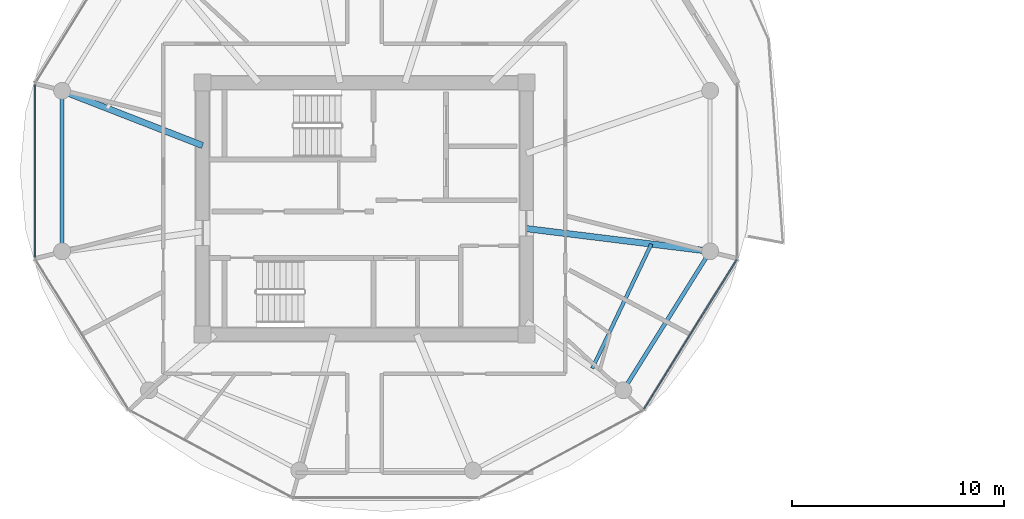
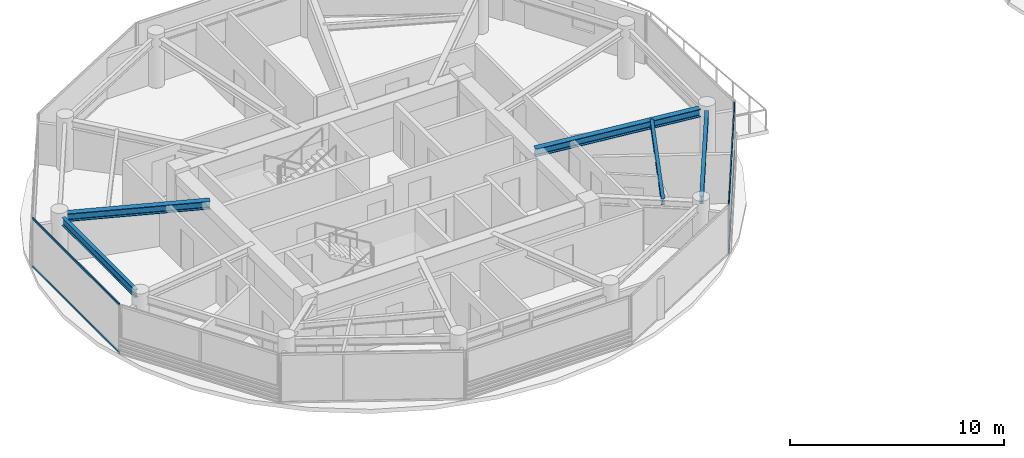
# One storey, part 3 of 22: 5 beams, 4 members, 2 elements without a shape of their own.
"""IFC4 building model written with IfcOpenShell, lengths in metres."""

from ifc_helpers import new_model, si_unit, direction, frame, origin, origin_2d, place, context, subcontext, project, spatial, rectangle, i_section, extrude, source, transform, mapped, material, layer, layer_set, material_profile, profile_set, type_object, type_shapes, element, aggregate, save


model = new_model("IFC4")

# Units and contexts
model_context = context("Model", 3, precision=1e-05, world=origin(), true_north=direction((0.0, 1.0)))
body_context = subcontext(model_context, "Body", "Model", "MODEL_VIEW")
ifc_project = project(units=[si_unit("LENGTHUNIT", "METRE"), si_unit("AREAUNIT", "SQUARE_METRE"), si_unit("VOLUMEUNIT", "CUBIC_METRE"), si_unit("PLANEANGLEUNIT", "RADIAN"), si_unit("MASSUNIT", "GRAM", prefix="KILO")], contexts=[model_context])

# Site, building, storey
site_placement = place(None, origin())
site = spatial("IfcSite", under=ifc_project, at=site_placement, CompositionType="ELEMENT")
building_placement = place(site_placement, origin())
building = spatial("IfcBuilding", under=site, at=building_placement, Name="Norrkilde Senior Care Towers", CompositionType="ELEMENT")
storey_placement = place(building_placement, frame((0.0, 0.0, 137.35009765625)))
storey = spatial("IfcBuildingStorey", under=building, at=storey_placement, Name="L42", CompositionType="ELEMENT", Elevation=137.35009765625)

# Beams
ifc_material_1 = material(Name="Steel S355", Category="steel")
ifc_material_profile_1 = material_profile(ifc_material_1, i_section(OverallWidth=0.18994140625, OverallDepth=0.449951171875, WebThickness=0.009521484375, FlangeThickness=0.0146484375, FilletRadius=0.02099609375, at=origin_2d()), Name="IPE 450")
ifc_profile_set_1 = profile_set([ifc_material_profile_1], Name="Steel S355")
beam_type_1 = type_object("IfcBeamType", Name="Perimeter Ring Spandrel Z3 IPE450", PredefinedType="SPANDREL", material=ifc_profile_set_1)
shared_shape_1 = source(origin(), body_context, "Body", "SweptSolid", [
    extrude(i_section(OverallWidth=0.18994140625, OverallDepth=0.449951171875, WebThickness=0.009521484375, FlangeThickness=0.0146484375, FilletRadius=0.02099609375, at=origin_2d()), origin(), (0.0, 0.0, 1.0), 6.86328125),
])
beam_1_placement = place(storey_placement, frame((-42.284912109375, 5.20703125, 2.5849609375), z_axis=(0.0, -1.0, 0.0), x_axis=(1.0, 0.0, 0.0)))
element("IfcBeam", 1, at=beam_1_placement, inside=storey, type_object=beam_type_1, Name="L42 Drum W Perimeter Spandrel 06", PredefinedType="SPANDREL", context=body_context, shape_type="MappedRepresentation", body=[
    mapped(shared_shape_1, transform((0.0, 0.0, 0.0), x_axis=(1.0, 0.0, 0.0), y_axis=(0.0, 1.0, 0.0), z_axis=(0.0, 0.0, 1.0), scale=1.0)),
])
ifc_material_profile_2 = material_profile(ifc_material_1, i_section(OverallWidth=0.300048828125, OverallDepth=0.449951171875, WebThickness=0.013916015625, FlangeThickness=0.02587890625, FilletRadius=0.027099609375, at=origin_2d()), Name="HEB 450")
ifc_profile_set_2 = profile_set([ifc_material_profile_2], Name="Steel S355")
beam_type_2 = type_object("IfcBeamType", Name="Radial Floor Beam Z3 HEB450", PredefinedType="BEAM", material=ifc_profile_set_2)
shared_shape_2 = source(origin(), body_context, "Body", "SweptSolid", [
    extrude(i_section(OverallWidth=0.300048828125, OverallDepth=0.449951171875, WebThickness=0.013916015625, FlangeThickness=0.02587890625, FilletRadius=0.027099609375, at=origin_2d()), origin(), (0.0, 0.0, 1.0), 6.760986328125),
])
beam_2_placement = place(storey_placement, frame((-35.64990234375, 2.981201171875, 2.5849609375), z_axis=(-0.931742171387, 0.363120539297, 0.0), x_axis=(-0.363120539297, -0.931742171387, 0.0)))
element("IfcBeam", 2, at=beam_2_placement, inside=storey, type_object=beam_type_2, Name="L42 Drum W Radial Floor Beam 06", PredefinedType="BEAM", context=body_context, shape_type="MappedRepresentation", body=[
    mapped(shared_shape_2, transform((0.0, 0.0, 0.0), x_axis=(1.0, 0.0, 0.0), y_axis=(0.0, 1.0, 0.0), z_axis=(0.0, 0.0, 1.0), scale=1.0)),
])
shared_shape_3 = source(origin(), body_context, "Body", "SweptSolid", [
    extrude(i_section(OverallWidth=0.18994140625, OverallDepth=0.449951171875, WebThickness=0.009521484375, FlangeThickness=0.0146484375, FilletRadius=0.02099609375, at=origin_2d()), origin(), (0.0, 0.0, 1.0), 7.023193359375),
])
type_shapes(beam_type_1, [shared_shape_1, shared_shape_3])
beam_3_placement = place(storey_placement, frame((-15.57666015625, -8.2783203125, 2.5849609375), z_axis=(0.529805197269, 0.848119362441, 0.0), x_axis=(-0.848119362441, 0.529805197269, 0.0)))
element("IfcBeam", 3, at=beam_3_placement, inside=storey, type_object=beam_type_1, Name="L42 Drum W Perimeter Spandrel 11", PredefinedType="SPANDREL", context=body_context, shape_type="MappedRepresentation", body=[
    mapped(shared_shape_3, transform((0.0, 0.0, 0.0), x_axis=(1.0, 0.0, 0.0), y_axis=(0.0, 1.0, 0.0), z_axis=(0.0, 0.0, 1.0), scale=1.0)),
])
shared_shape_4 = source(origin(), body_context, "Body", "SweptSolid", [
    extrude(i_section(OverallWidth=0.300048828125, OverallDepth=0.449951171875, WebThickness=0.013916015625, FlangeThickness=0.02587890625, FilletRadius=0.027099609375, at=origin_2d()), origin(), (0.0, 0.0, 1.0), 8.390869140625),
])
type_shapes(beam_type_2, [shared_shape_2, shared_shape_4])
beam_4_placement = place(storey_placement, frame((-20.35009765625, -0.9443359375, 2.5849609375), z_axis=(0.99246916403, -0.122494728249, 0.0), x_axis=(0.122494728249, 0.99246916403, 0.0)))
element("IfcBeam", 4, at=beam_4_placement, inside=storey, type_object=beam_type_2, Name="L42 Drum W Radial Floor Beam 12", PredefinedType="BEAM", context=body_context, shape_type="MappedRepresentation", body=[
    mapped(shared_shape_4, transform((0.0, 0.0, 0.0), x_axis=(1.0, 0.0, 0.0), y_axis=(0.0, 1.0, 0.0), z_axis=(0.0, 0.0, 1.0), scale=1.0)),
])
ifc_material_profile_3 = material_profile(ifc_material_1, i_section(OverallWidth=0.169921875, OverallDepth=0.360107421875, WebThickness=0.008056640625, FlangeThickness=0.0126953125, FilletRadius=0.01806640625, at=origin_2d()), Name="IPE 360")
ifc_profile_set_3 = profile_set([ifc_material_profile_3], Name="Steel S355")
beam_type_3 = type_object("IfcBeamType", Name="Secondary Floor Joist IPE360", PredefinedType="JOIST", material=ifc_profile_set_3)
shared_shape_5 = source(origin(), body_context, "Body", "SweptSolid", [
    extrude(i_section(OverallWidth=0.169921875, OverallDepth=0.360107421875, WebThickness=0.008056640625, FlangeThickness=0.0126953125, FilletRadius=0.01806640625, at=origin_2d()), origin(), (0.0, 0.0, 1.0), 6.50927734375),
])
type_shapes(beam_type_3, [shared_shape_5])
beam_5_placement = place(storey_placement, frame((-17.23388671875, -7.5546875, 2.6298828125), z_axis=(0.428544169129, 0.90352083269, 0.0), x_axis=(-0.90352083269, 0.428544169129, 0.0)))
element("IfcBeam", 5, at=beam_5_placement, inside=storey, type_object=beam_type_3, Name="L42 Drum W Secondary Floor Joist 4", PredefinedType="JOIST", context=body_context, shape_type="MappedRepresentation", body=[
    mapped(shared_shape_5, transform((0.0, 0.0, 0.0), x_axis=(1.0, 0.0, 0.0), y_axis=(0.0, 1.0, 0.0), z_axis=(0.0, 0.0, 1.0), scale=1.0)),
])

# Curtain wall, members
ifc_material_2 = material(Name="Triple Low-E Insulated Glazing", Category="glass")
ifc_layer = layer(ifc_material_2, 0.18994140625)
ifc_layer_set = layer_set([ifc_layer], Name="Triple Low-E Insulated Glazing")
curtain_wall_type = type_object("IfcCurtainWallType", Name="CW4 Zone 3 Senior Residence Curtain Wall", PredefinedType="NOTDEFINED", material=ifc_layer_set)
curtain_wall_1_placement = place(storey_placement, origin())
curtain_wall_1 = element("IfcCurtainWall", 6, at=curtain_wall_1_placement, inside=storey, type_object=curtain_wall_type, Name="L42 Drum W Curtain Wall 10", PredefinedType="NOTDEFINED")
ifc_material_3 = material(Name="Anodised Aluminium", Category="aluminium")
ifc_material_profile_4 = material_profile(ifc_material_3, rectangle(XDim=0.06005859375, YDim=0.1201171875, at=origin_2d()), Name="ALU TRAN 60x120")
ifc_profile_set_4 = profile_set([ifc_material_profile_4], Name="Anodised Aluminium")
member_type = type_object("IfcMemberType", Name="Curtain Wall Transom Typical 60x120", PredefinedType="USERDEFINED", material=ifc_profile_set_4)
shared_shape_6 = source(origin(), body_context, "Body", "SweptSolid", [
    extrude(rectangle(XDim=0.06005859375, YDim=0.1201171875, at=origin_2d()), origin(), (0.0, 0.0, 1.0), 8.301513671875),
])
member_1_placement = place(storey_placement, frame((-10.414794921875, -2.415771484375, 0.02978515625), z_axis=(-0.527368718394, -0.849636531029, 0.0), x_axis=(0.849636531029, -0.527368718394, 0.0)))
member_1 = element("IfcMember", 7, at=member_1_placement, type_object=member_type, Name="CW-4 transom 1.1", ObjectType="TRANSOM", PredefinedType="USERDEFINED", context=body_context, shape_type="MappedRepresentation", body=[
    mapped(shared_shape_6, transform((0.0, 0.0, 0.0), x_axis=(1.0, 0.0, 0.0), y_axis=(0.0, 1.0, 0.0), z_axis=(0.0, 0.0, 1.0), scale=1.0)),
])
member_2_placement = place(storey_placement, frame((-10.414794921875, -2.415771484375, 2.77978515625), z_axis=(-0.527368718394, -0.849636531029, 0.0), x_axis=(0.849636531029, -0.527368718394, 0.0)))
member_2 = element("IfcMember", 8, at=member_2_placement, type_object=member_type, Name="CW-4 transom 1.2", ObjectType="TRANSOM", PredefinedType="USERDEFINED", context=body_context, shape_type="MappedRepresentation", body=[
    mapped(shared_shape_6, transform((0.0, 0.0, 0.0), x_axis=(1.0, 0.0, 0.0), y_axis=(0.0, 1.0, 0.0), z_axis=(0.0, 0.0, 1.0), scale=1.0)),
])
aggregate(curtain_wall_1, [member_1, member_2])

curtain_wall_2_placement = place(storey_placement, origin())
curtain_wall_2 = element("IfcCurtainWall", 9, at=curtain_wall_2_placement, inside=storey, type_object=curtain_wall_type, Name="L42 Drum W Curtain Wall 05", PredefinedType="NOTDEFINED")
shared_shape_7 = source(origin(), body_context, "Body", "SweptSolid", [
    extrude(rectangle(XDim=0.06005859375, YDim=0.1201171875, at=origin_2d()), origin(), (0.0, 0.0, 1.0), 8.141845703125),
])
type_shapes(member_type, [shared_shape_6, shared_shape_7])
member_3_placement = place(storey_placement, frame((-43.569580078125, -2.295654296875, 0.02978515625), z_axis=(0.0, 1.0, 0.0), x_axis=(-1.0, 0.0, 0.0)))
member_3 = element("IfcMember", 10, at=member_3_placement, type_object=member_type, Name="CW-4 transom 1.1", ObjectType="TRANSOM", PredefinedType="USERDEFINED", context=body_context, shape_type="MappedRepresentation", body=[
    mapped(shared_shape_7, transform((0.0, 0.0, 0.0), x_axis=(1.0, 0.0, 0.0), y_axis=(0.0, 1.0, 0.0), z_axis=(0.0, 0.0, 1.0), scale=1.0)),
])
member_4_placement = place(storey_placement, frame((-43.569580078125, -2.295654296875, 2.77978515625), z_axis=(0.0, 1.0, 0.0), x_axis=(-1.0, 0.0, 0.0)))
member_4 = element("IfcMember", 11, at=member_4_placement, type_object=member_type, Name="CW-4 transom 1.2", ObjectType="TRANSOM", PredefinedType="USERDEFINED", context=body_context, shape_type="MappedRepresentation", body=[
    mapped(shared_shape_7, transform((0.0, 0.0, 0.0), x_axis=(1.0, 0.0, 0.0), y_axis=(0.0, 1.0, 0.0), z_axis=(0.0, 0.0, 1.0), scale=1.0)),
])
aggregate(curtain_wall_2, [member_3, member_4])

save(model, "model.ifc")
